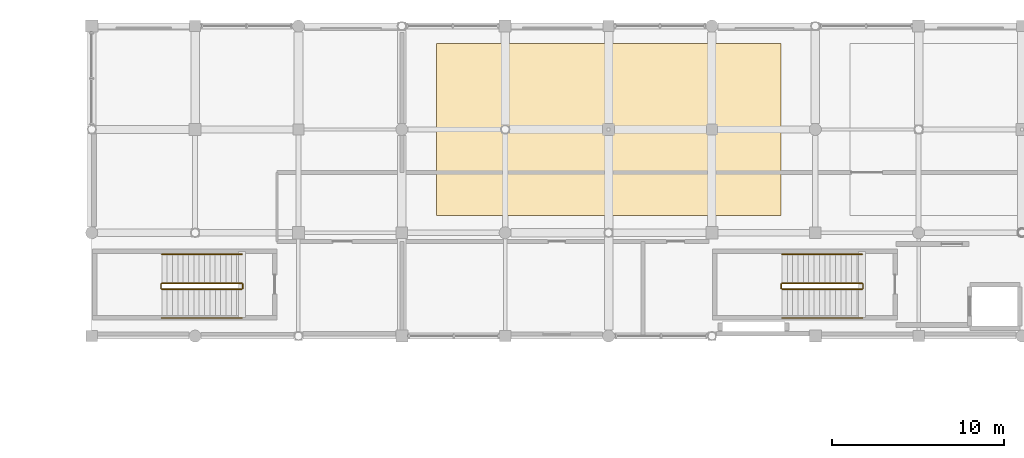
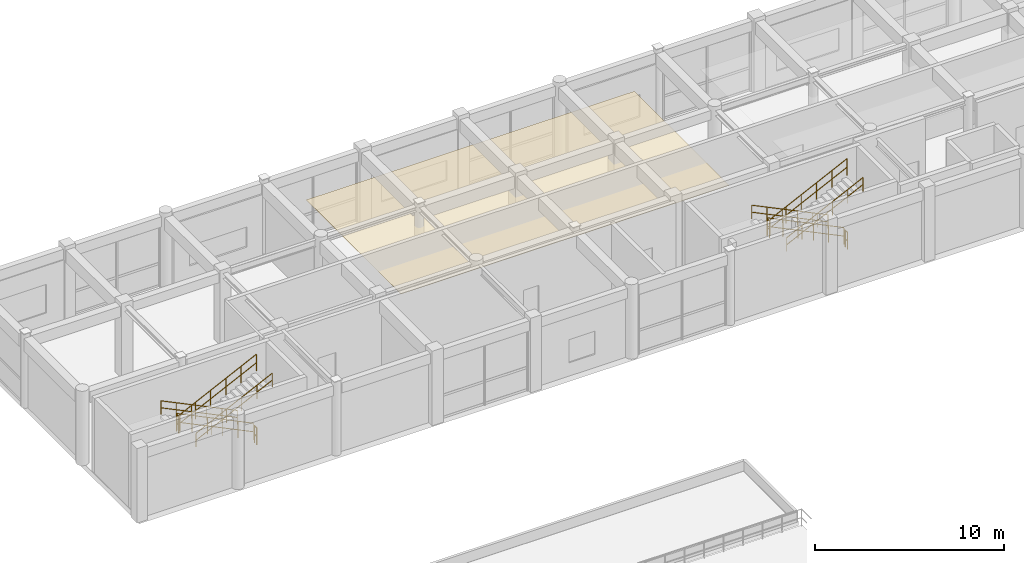
# One storey, part 110 of 112: 12 railings, 1 covering.
"""IFC4 building model written with IfcOpenShell, lengths in metres."""

from ifc_helpers import new_model, si_unit, direction, frame, origin, origin_2d, place, context, subcontext, project, spatial, polyline, circle, outline, extrude, material, layer, layer_set, type_object, element, save


model = new_model("IFC4")

# Units and contexts
model_context = context("Model", 3, precision=1e-05, world=origin(), true_north=direction((0.0, 1.0)))
body_context = subcontext(model_context, "Body", "Model", "MODEL_VIEW")
ifc_project = project(units=[si_unit("LENGTHUNIT", "METRE"), si_unit("AREAUNIT", "SQUARE_METRE"), si_unit("VOLUMEUNIT", "CUBIC_METRE"), si_unit("PLANEANGLEUNIT", "RADIAN"), si_unit("MASSUNIT", "GRAM", prefix="KILO"), si_unit("THERMODYNAMICTEMPERATUREUNIT", "KELVIN"), si_unit("POWERUNIT", "WATT")], contexts=[model_context])

# Site, building, storey
site_placement = place(None, origin())
site = spatial("IfcSite", under=ifc_project, at=site_placement, CompositionType="ELEMENT")
building_placement = place(site_placement, origin())
building = spatial("IfcBuilding", under=site, at=building_placement, Name="Phaisarnlok Congress Hotel", CompositionType="ELEMENT")
storey_placement = place(building_placement, frame((0.0, 0.0, 19.800048828125)))
storey = spatial("IfcBuildingStorey", under=building, at=storey_placement, Name="L04", CompositionType="ELEMENT", Elevation=19.800048828125)

# Covering
ifc_material_1 = material(Name="Perforated Timber & Mineral-Fibre Acoustic Ceiling", Category="wood")
ifc_layer = layer(ifc_material_1, 0.01806640625, Name="Perforated Timber & Mineral-Fibre Acoustic Ceiling")
ifc_layer_set = layer_set([ifc_layer], Name="Perforated Timber & Mineral-Fibre Acoustic Ceiling")
covering_type = type_object("IfcCoveringType", Name="CLG-AC-18", PredefinedType="CEILING", material=ifc_layer_set)
covering_placement = place(storey_placement, frame((0.0, 0.0, 3.199951171875)))
element("IfcCovering", 1, at=covering_placement, inside=storey, type_object=covering_type, Name="Suspended ceiling CLG-01 (L04)", PredefinedType="CEILING", context=body_context, shape_type="SweptSolid", body=[
    extrude(outline(polyline([(86.0, 115.0), (86.0, 125.0), (106.0, 125.0), (106.0, 115.0), (86.0, 115.0)])), origin(), (0.0, 0.0, 1.0), 0.01806640625),
])

# Railings
ifc_material_2 = material(Name="Painted Galvanised Steel S275", Category="steel")
railing_type_1 = type_object("IfcRailingType", Name="RLG-STR-GUARD", PredefinedType="BALUSTRADE", material=ifc_material_2)
railing_1_placement = place(storey_placement, frame((110.719970703125, 111.070068359375, 0.14990234375)))
element("IfcRailing", 2, at=railing_1_placement, inside=storey, type_object=railing_type_1, Name="L04 ST-07 stair guard 1", PredefinedType="BALUSTRADE", context=body_context, shape_type="SweptSolid", body=[
    extrude(circle(Radius=0.02392578125, at=origin_2d()), frame((0.0, 0.0, 1.076171875), z_axis=(-0.900155664878, 0.0, 0.435568340204), x_axis=(0.0, -1.0, 0.0)), (0.0, 0.0, 1.0), 5.165771484375),
    extrude(circle(Radius=0.02392578125, at=origin_2d()), frame((0.0, 0.0, 0.52587890625), z_axis=(-0.900155664878, 0.0, 0.435568340204), x_axis=(0.0, -1.0, 0.0)), (0.0, 0.0, 1.0), 5.165771484375),
    extrude(circle(Radius=0.02099609375, at=origin_2d()), origin(), (0.0, 0.0, 1.0), 1.052001953125),
    extrude(circle(Radius=0.02099609375, at=origin_2d()), frame((-0.929931640625, 0.0, 0.449951171875)), (0.0, 0.0, 1.0), 1.052001953125),
    extrude(circle(Radius=0.02099609375, at=origin_2d()), frame((-1.85986328125, 0.0, 0.89990234375)), (0.0, 0.0, 1.0), 1.052001953125),
    extrude(circle(Radius=0.02099609375, at=origin_2d()), frame((-2.7900390625, 0.0, 1.35009765625)), (0.0, 0.0, 1.0), 1.052001953125),
    extrude(circle(Radius=0.02099609375, at=origin_2d()), frame((-3.719970703125, 0.0, 1.800048828125)), (0.0, 0.0, 1.0), 1.052001953125),
    extrude(circle(Radius=0.02099609375, at=origin_2d()), frame((-4.64990234375, 0.0, 2.25)), (0.0, 0.0, 1.0), 1.052001953125),
])
railing_2_placement = place(storey_placement, frame((106.02001953125, 111.02001953125, 2.39990234375)))
element("IfcRailing", 3, at=railing_2_placement, inside=storey, type_object=railing_type_1, Name="L04 ST-07 stair guard 2", PredefinedType="BALUSTRADE", context=body_context, shape_type="SweptSolid", body=[
    extrude(circle(Radius=0.02392578125, at=origin_2d()), frame((0.0, 0.0, 1.076171875), z_axis=(0.0, -1.0, 0.0), x_axis=(1.0, 0.0, 0.0)), (0.0, 0.0, 1.0), 0.239990234375),
    extrude(circle(Radius=0.02392578125, at=origin_2d()), frame((0.0, 0.0, 0.52587890625), z_axis=(0.0, -1.0, 0.0), x_axis=(1.0, 0.0, 0.0)), (0.0, 0.0, 1.0), 0.239990234375),
    extrude(circle(Radius=0.02099609375, at=origin_2d()), origin(), (0.0, 0.0, 1.0), 1.052001953125),
    extrude(circle(Radius=0.02099609375, at=origin_2d()), frame((0.0, -0.239990234375, 0.0)), (0.0, 0.0, 1.0), 1.052001953125),
])
railing_3_placement = place(storey_placement, frame((106.070068359375, 110.72998046875, 2.550048828125)))
element("IfcRailing", 4, at=railing_3_placement, inside=storey, type_object=railing_type_1, Name="L04 ST-07 stair guard 3", PredefinedType="BALUSTRADE", context=body_context, shape_type="SweptSolid", body=[
    extrude(circle(Radius=0.02392578125, at=origin_2d()), frame((0.0, 0.0, 1.076171875), z_axis=(0.900155664878, 0.0, 0.435568340204), x_axis=(0.0, 1.0, 0.0)), (0.0, 0.0, 1.0), 5.165771484375),
    extrude(circle(Radius=0.02392578125, at=origin_2d()), frame((0.0, 0.0, 0.52587890625), z_axis=(0.900155664878, 0.0, 0.435568340204), x_axis=(0.0, 1.0, 0.0)), (0.0, 0.0, 1.0), 5.165771484375),
    extrude(circle(Radius=0.02099609375, at=origin_2d()), origin(), (0.0, 0.0, 1.0), 1.052001953125),
    extrude(circle(Radius=0.02099609375, at=origin_2d()), frame((0.929931640625, 0.0, 0.449951171875)), (0.0, 0.0, 1.0), 1.052001953125),
    extrude(circle(Radius=0.02099609375, at=origin_2d()), frame((1.85986328125, 0.0, 0.89990234375)), (0.0, 0.0, 1.0), 1.052001953125),
    extrude(circle(Radius=0.02099609375, at=origin_2d()), frame((2.7900390625, 0.0, 1.35009765625)), (0.0, 0.0, 1.0), 1.052001953125),
    extrude(circle(Radius=0.02099609375, at=origin_2d()), frame((3.719970703125, 0.0, 1.800048828125)), (0.0, 0.0, 1.0), 1.052001953125),
    extrude(circle(Radius=0.02099609375, at=origin_2d()), frame((4.64990234375, 0.0, 2.25)), (0.0, 0.0, 1.0), 1.052001953125),
])
railing_4_placement = place(storey_placement, frame((110.77001953125, 111.02001953125, 0.0)))
element("IfcRailing", 5, at=railing_4_placement, inside=storey, type_object=railing_type_1, Name="L04 ST-07 stair guard 4", PredefinedType="BALUSTRADE", context=body_context, shape_type="SweptSolid", body=[
    extrude(circle(Radius=0.02392578125, at=origin_2d()), frame((0.0, 0.0, 1.076171875), z_axis=(0.0, -1.0, 0.0), x_axis=(1.0, 0.0, 0.0)), (0.0, 0.0, 1.0), 0.239990234375),
    extrude(circle(Radius=0.02392578125, at=origin_2d()), frame((0.0, 0.0, 0.52587890625), z_axis=(0.0, -1.0, 0.0), x_axis=(1.0, 0.0, 0.0)), (0.0, 0.0, 1.0), 0.239990234375),
    extrude(circle(Radius=0.02099609375, at=origin_2d()), origin(), (0.0, 0.0, 1.0), 1.052001953125),
    extrude(circle(Radius=0.02099609375, at=origin_2d()), frame((0.0, -0.239990234375, 0.0)), (0.0, 0.0, 1.0), 1.052001953125),
])
railing_5_placement = place(storey_placement, frame((74.719970703125, 111.070068359375, 0.14990234375)))
element("IfcRailing", 6, at=railing_5_placement, inside=storey, type_object=railing_type_1, Name="L04 ST-10 stair guard 1", PredefinedType="BALUSTRADE", context=body_context, shape_type="SweptSolid", body=[
    extrude(circle(Radius=0.02392578125, at=origin_2d()), frame((0.0, 0.0, 1.076171875), z_axis=(-0.900155664878, 0.0, 0.435568340204), x_axis=(0.0, -1.0, 0.0)), (0.0, 0.0, 1.0), 5.165771484375),
    extrude(circle(Radius=0.02392578125, at=origin_2d()), frame((0.0, 0.0, 0.52587890625), z_axis=(-0.900155664878, 0.0, 0.435568340204), x_axis=(0.0, -1.0, 0.0)), (0.0, 0.0, 1.0), 5.165771484375),
    extrude(circle(Radius=0.02099609375, at=origin_2d()), origin(), (0.0, 0.0, 1.0), 1.052001953125),
    extrude(circle(Radius=0.02099609375, at=origin_2d()), frame((-0.929931640625, 0.0, 0.449951171875)), (0.0, 0.0, 1.0), 1.052001953125),
    extrude(circle(Radius=0.02099609375, at=origin_2d()), frame((-1.85986328125, 0.0, 0.89990234375)), (0.0, 0.0, 1.0), 1.052001953125),
    extrude(circle(Radius=0.02099609375, at=origin_2d()), frame((-2.7900390625, 0.0, 1.35009765625)), (0.0, 0.0, 1.0), 1.052001953125),
    extrude(circle(Radius=0.02099609375, at=origin_2d()), frame((-3.719970703125, 0.0, 1.800048828125)), (0.0, 0.0, 1.0), 1.052001953125),
    extrude(circle(Radius=0.02099609375, at=origin_2d()), frame((-4.64990234375, 0.0, 2.25)), (0.0, 0.0, 1.0), 1.052001953125),
])
railing_6_placement = place(storey_placement, frame((70.02001953125, 111.02001953125, 2.39990234375)))
element("IfcRailing", 7, at=railing_6_placement, inside=storey, type_object=railing_type_1, Name="L04 ST-10 stair guard 2", PredefinedType="BALUSTRADE", context=body_context, shape_type="SweptSolid", body=[
    extrude(circle(Radius=0.02392578125, at=origin_2d()), frame((0.0, 0.0, 1.076171875), z_axis=(0.0, -1.0, 0.0), x_axis=(1.0, 0.0, 0.0)), (0.0, 0.0, 1.0), 0.239990234375),
    extrude(circle(Radius=0.02392578125, at=origin_2d()), frame((0.0, 0.0, 0.52587890625), z_axis=(0.0, -1.0, 0.0), x_axis=(1.0, 0.0, 0.0)), (0.0, 0.0, 1.0), 0.239990234375),
    extrude(circle(Radius=0.02099609375, at=origin_2d()), origin(), (0.0, 0.0, 1.0), 1.052001953125),
    extrude(circle(Radius=0.02099609375, at=origin_2d()), frame((0.0, -0.239990234375, 0.0)), (0.0, 0.0, 1.0), 1.052001953125),
])
railing_7_placement = place(storey_placement, frame((70.070068359375, 110.72998046875, 2.550048828125)))
element("IfcRailing", 8, at=railing_7_placement, inside=storey, type_object=railing_type_1, Name="L04 ST-10 stair guard 3", PredefinedType="BALUSTRADE", context=body_context, shape_type="SweptSolid", body=[
    extrude(circle(Radius=0.02392578125, at=origin_2d()), frame((0.0, 0.0, 1.076171875), z_axis=(0.900155664878, 0.0, 0.435568340204), x_axis=(0.0, 1.0, 0.0)), (0.0, 0.0, 1.0), 5.165771484375),
    extrude(circle(Radius=0.02392578125, at=origin_2d()), frame((0.0, 0.0, 0.52587890625), z_axis=(0.900155664878, 0.0, 0.435568340204), x_axis=(0.0, 1.0, 0.0)), (0.0, 0.0, 1.0), 5.165771484375),
    extrude(circle(Radius=0.02099609375, at=origin_2d()), origin(), (0.0, 0.0, 1.0), 1.052001953125),
    extrude(circle(Radius=0.02099609375, at=origin_2d()), frame((0.929931640625, 0.0, 0.449951171875)), (0.0, 0.0, 1.0), 1.052001953125),
    extrude(circle(Radius=0.02099609375, at=origin_2d()), frame((1.85986328125, 0.0, 0.89990234375)), (0.0, 0.0, 1.0), 1.052001953125),
    extrude(circle(Radius=0.02099609375, at=origin_2d()), frame((2.7900390625, 0.0, 1.35009765625)), (0.0, 0.0, 1.0), 1.052001953125),
    extrude(circle(Radius=0.02099609375, at=origin_2d()), frame((3.719970703125, 0.0, 1.800048828125)), (0.0, 0.0, 1.0), 1.052001953125),
    extrude(circle(Radius=0.02099609375, at=origin_2d()), frame((4.64990234375, 0.0, 2.25)), (0.0, 0.0, 1.0), 1.052001953125),
])
railing_8_placement = place(storey_placement, frame((74.77001953125, 111.02001953125, 0.0)))
element("IfcRailing", 9, at=railing_8_placement, inside=storey, type_object=railing_type_1, Name="L04 ST-10 stair guard 4", PredefinedType="BALUSTRADE", context=body_context, shape_type="SweptSolid", body=[
    extrude(circle(Radius=0.02392578125, at=origin_2d()), frame((0.0, 0.0, 1.076171875), z_axis=(0.0, -1.0, 0.0), x_axis=(1.0, 0.0, 0.0)), (0.0, 0.0, 1.0), 0.239990234375),
    extrude(circle(Radius=0.02392578125, at=origin_2d()), frame((0.0, 0.0, 0.52587890625), z_axis=(0.0, -1.0, 0.0), x_axis=(1.0, 0.0, 0.0)), (0.0, 0.0, 1.0), 0.239990234375),
    extrude(circle(Radius=0.02099609375, at=origin_2d()), origin(), (0.0, 0.0, 1.0), 1.052001953125),
    extrude(circle(Radius=0.02099609375, at=origin_2d()), frame((0.0, -0.239990234375, 0.0)), (0.0, 0.0, 1.0), 1.052001953125),
])
ifc_material_3 = material(Name="Brushed Stainless Steel Grade 304", Category="steel")
railing_type_2 = type_object("IfcRailingType", Name="RLG-STR-HRAIL", PredefinedType="HANDRAIL", material=ifc_material_3)
railing_9_placement = place(storey_placement, frame((110.719970703125, 112.75, 0.14990234375)))
element("IfcRailing", 10, at=railing_9_placement, inside=storey, type_object=railing_type_2, Name="L04 ST-07 stair handrail 1", PredefinedType="HANDRAIL", context=body_context, shape_type="SweptSolid", body=[
    extrude(circle(Radius=0.02392578125, at=origin_2d()), frame((0.0, 0.0, 0.8759765625), z_axis=(-0.900155664878, 0.0, 0.435568340204), x_axis=(0.0, -1.0, 0.0)), (0.0, 0.0, 1.0), 5.165771484375),
    extrude(circle(Radius=0.02392578125, at=origin_2d()), frame((0.0, 0.0, 0.42578125), z_axis=(-0.900155664878, 0.0, 0.435568340204), x_axis=(0.0, -1.0, 0.0)), (0.0, 0.0, 1.0), 5.165771484375),
    extrude(circle(Radius=0.02099609375, at=origin_2d()), origin(), (0.0, 0.0, 1.0), 0.851806640625),
    extrude(circle(Radius=0.02099609375, at=origin_2d()), frame((-0.929931640625, 0.0, 0.449951171875)), (0.0, 0.0, 1.0), 0.851806640625),
    extrude(circle(Radius=0.02099609375, at=origin_2d()), frame((-1.85986328125, 0.0, 0.89990234375)), (0.0, 0.0, 1.0), 0.851806640625),
    extrude(circle(Radius=0.02099609375, at=origin_2d()), frame((-2.7900390625, 0.0, 1.35009765625)), (0.0, 0.0, 1.0), 0.851806640625),
    extrude(circle(Radius=0.02099609375, at=origin_2d()), frame((-3.719970703125, 0.0, 1.800048828125)), (0.0, 0.0, 1.0), 0.851806640625),
    extrude(circle(Radius=0.02099609375, at=origin_2d()), frame((-4.64990234375, 0.0, 2.25)), (0.0, 0.0, 1.0), 0.851806640625),
])
railing_10_placement = place(storey_placement, frame((106.070068359375, 109.050048828125, 2.550048828125)))
element("IfcRailing", 11, at=railing_10_placement, inside=storey, type_object=railing_type_2, Name="L04 ST-07 stair handrail 2", PredefinedType="HANDRAIL", context=body_context, shape_type="SweptSolid", body=[
    extrude(circle(Radius=0.02392578125, at=origin_2d()), frame((0.0, 0.0, 0.8759765625), z_axis=(0.900155664878, 0.0, 0.435568340204), x_axis=(0.0, 1.0, 0.0)), (0.0, 0.0, 1.0), 5.165771484375),
    extrude(circle(Radius=0.02392578125, at=origin_2d()), frame((0.0, 0.0, 0.42578125), z_axis=(0.900155664878, 0.0, 0.435568340204), x_axis=(0.0, 1.0, 0.0)), (0.0, 0.0, 1.0), 5.165771484375),
    extrude(circle(Radius=0.02099609375, at=origin_2d()), origin(), (0.0, 0.0, 1.0), 0.851806640625),
    extrude(circle(Radius=0.02099609375, at=origin_2d()), frame((0.929931640625, 0.0, 0.449951171875)), (0.0, 0.0, 1.0), 0.851806640625),
    extrude(circle(Radius=0.02099609375, at=origin_2d()), frame((1.85986328125, 0.0, 0.89990234375)), (0.0, 0.0, 1.0), 0.851806640625),
    extrude(circle(Radius=0.02099609375, at=origin_2d()), frame((2.7900390625, 0.0, 1.35009765625)), (0.0, 0.0, 1.0), 0.851806640625),
    extrude(circle(Radius=0.02099609375, at=origin_2d()), frame((3.719970703125, 0.0, 1.800048828125)), (0.0, 0.0, 1.0), 0.851806640625),
    extrude(circle(Radius=0.02099609375, at=origin_2d()), frame((4.64990234375, 0.0, 2.25)), (0.0, 0.0, 1.0), 0.851806640625),
])
railing_11_placement = place(storey_placement, frame((74.719970703125, 112.75, 0.14990234375)))
element("IfcRailing", 12, at=railing_11_placement, inside=storey, type_object=railing_type_2, Name="L04 ST-10 stair handrail 1", PredefinedType="HANDRAIL", context=body_context, shape_type="SweptSolid", body=[
    extrude(circle(Radius=0.02392578125, at=origin_2d()), frame((0.0, 0.0, 0.8759765625), z_axis=(-0.900155664878, 0.0, 0.435568340204), x_axis=(0.0, -1.0, 0.0)), (0.0, 0.0, 1.0), 5.165771484375),
    extrude(circle(Radius=0.02392578125, at=origin_2d()), frame((0.0, 0.0, 0.42578125), z_axis=(-0.900155664878, 0.0, 0.435568340204), x_axis=(0.0, -1.0, 0.0)), (0.0, 0.0, 1.0), 5.165771484375),
    extrude(circle(Radius=0.02099609375, at=origin_2d()), origin(), (0.0, 0.0, 1.0), 0.851806640625),
    extrude(circle(Radius=0.02099609375, at=origin_2d()), frame((-0.929931640625, 0.0, 0.449951171875)), (0.0, 0.0, 1.0), 0.851806640625),
    extrude(circle(Radius=0.02099609375, at=origin_2d()), frame((-1.85986328125, 0.0, 0.89990234375)), (0.0, 0.0, 1.0), 0.851806640625),
    extrude(circle(Radius=0.02099609375, at=origin_2d()), frame((-2.7900390625, 0.0, 1.35009765625)), (0.0, 0.0, 1.0), 0.851806640625),
    extrude(circle(Radius=0.02099609375, at=origin_2d()), frame((-3.719970703125, 0.0, 1.800048828125)), (0.0, 0.0, 1.0), 0.851806640625),
    extrude(circle(Radius=0.02099609375, at=origin_2d()), frame((-4.64990234375, 0.0, 2.25)), (0.0, 0.0, 1.0), 0.851806640625),
])
railing_12_placement = place(storey_placement, frame((70.070068359375, 109.050048828125, 2.550048828125)))
element("IfcRailing", 13, at=railing_12_placement, inside=storey, type_object=railing_type_2, Name="L04 ST-10 stair handrail 2", PredefinedType="HANDRAIL", context=body_context, shape_type="SweptSolid", body=[
    extrude(circle(Radius=0.02392578125, at=origin_2d()), frame((0.0, 0.0, 0.8759765625), z_axis=(0.900155664878, 0.0, 0.435568340204), x_axis=(0.0, 1.0, 0.0)), (0.0, 0.0, 1.0), 5.165771484375),
    extrude(circle(Radius=0.02392578125, at=origin_2d()), frame((0.0, 0.0, 0.42578125), z_axis=(0.900155664878, 0.0, 0.435568340204), x_axis=(0.0, 1.0, 0.0)), (0.0, 0.0, 1.0), 5.165771484375),
    extrude(circle(Radius=0.02099609375, at=origin_2d()), origin(), (0.0, 0.0, 1.0), 0.851806640625),
    extrude(circle(Radius=0.02099609375, at=origin_2d()), frame((0.929931640625, 0.0, 0.449951171875)), (0.0, 0.0, 1.0), 0.851806640625),
    extrude(circle(Radius=0.02099609375, at=origin_2d()), frame((1.85986328125, 0.0, 0.89990234375)), (0.0, 0.0, 1.0), 0.851806640625),
    extrude(circle(Radius=0.02099609375, at=origin_2d()), frame((2.7900390625, 0.0, 1.35009765625)), (0.0, 0.0, 1.0), 0.851806640625),
    extrude(circle(Radius=0.02099609375, at=origin_2d()), frame((3.719970703125, 0.0, 1.800048828125)), (0.0, 0.0, 1.0), 0.851806640625),
    extrude(circle(Radius=0.02099609375, at=origin_2d()), frame((4.64990234375, 0.0, 2.25)), (0.0, 0.0, 1.0), 0.851806640625),
])

save(model, "model.ifc")
